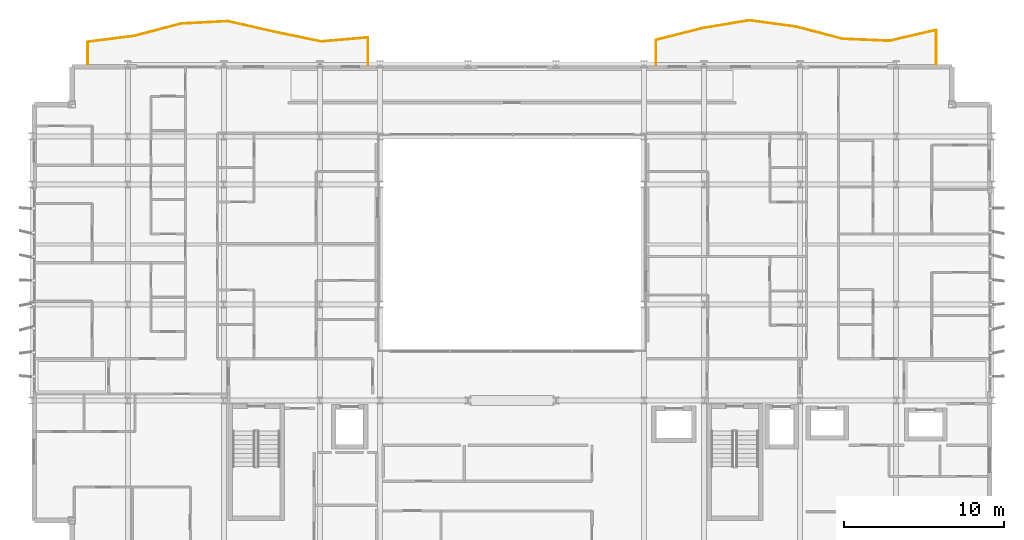
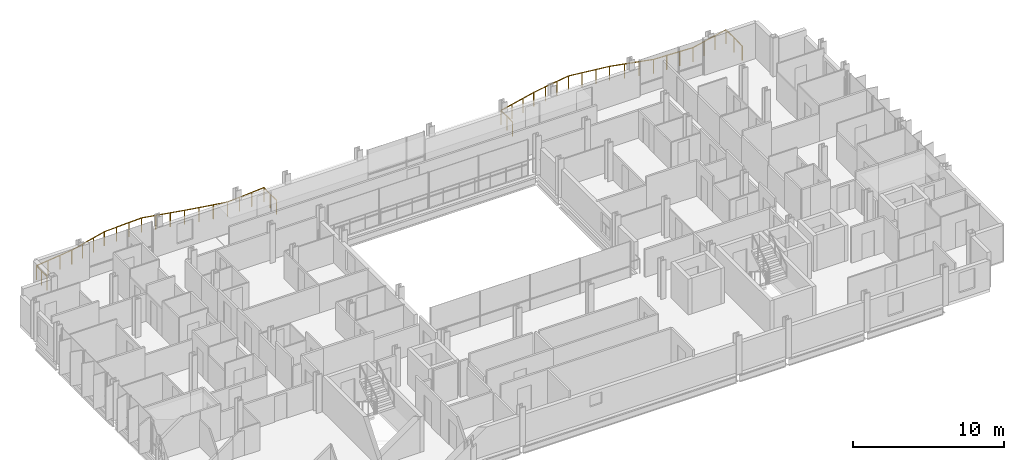
# One storey, part 39 of 39: 2 railings.
"""IFC4 building model written with IfcOpenShell, lengths in metres."""

from ifc_helpers import new_model, si_unit, direction, frame, origin, origin_2d, place, context, subcontext, project, spatial, circle, extrude, material, type_object, element, save


model = new_model("IFC4")

# Units and contexts
model_context = context("Model", 3, precision=1e-05, world=origin(), true_north=direction((0.0, 1.0)))
body_context = subcontext(model_context, "Body", "Model", "MODEL_VIEW")
ifc_project = project(units=[si_unit("LENGTHUNIT", "METRE"), si_unit("AREAUNIT", "SQUARE_METRE"), si_unit("VOLUMEUNIT", "CUBIC_METRE"), si_unit("PLANEANGLEUNIT", "RADIAN"), si_unit("MASSUNIT", "GRAM", prefix="KILO")], contexts=[model_context])

# Site, building, storey
site_placement = place(None, origin())
site = spatial("IfcSite", under=ifc_project, at=site_placement, CompositionType="ELEMENT")
building_placement = place(site_placement, origin())
building = spatial("IfcBuilding", under=site, at=building_placement, Name="Brevholm Reach", CompositionType="ELEMENT")
storey_placement = place(building_placement, frame((0.0, 0.0, 90.0)))
storey = spatial("IfcBuildingStorey", under=building, at=storey_placement, Name="L26", CompositionType="ELEMENT", Elevation=90.0)

# Railings
ifc_material = material(Name="Brushed Stainless Steel EN 1.4401 and Laminated Glass", Category="steel")
railing_type = type_object("IfcRailingType", Name="RAL-BALC-1150", PredefinedType="BALUSTRADE", material=ifc_material)
railing_1_placement = place(storey_placement, frame((56.5, 31.0, 0.0)))
element("IfcRailing", 1, at=railing_1_placement, inside=storey, type_object=railing_type, Name="L26 Guard Balustrade RAL-L26-BAL-NE", PredefinedType="BALUSTRADE", context=body_context, shape_type="SweptSolid", body=[
    extrude(circle(Radius=0.02392578125, at=origin_2d()), frame((0.0, 0.0, 1.1259765625), z_axis=(0.0, 1.0, 0.0), x_axis=(-1.0, 0.0, 0.0)), (0.0, 0.0, 1.0), 2.1455078125),
    extrude(circle(Radius=0.02392578125, at=origin_2d()), frame((0.0, 2.1455078125, 1.1259765625), z_axis=(-0.974086615793, -0.226175296912, 0.0), x_axis=(0.226175296912, -0.974086615793, 0.0)), (0.0, 0.0, 1.0), 2.994384765625),
    extrude(circle(Radius=0.02392578125, at=origin_2d()), frame((-2.916748046875, 1.46826171875, 1.1259765625), z_axis=(-0.999139150441, 0.041484431493, 0.0), x_axis=(-0.041484431493, -0.999139150441, 0.0)), (0.0, 0.0, 1.0), 2.9189453125),
    extrude(circle(Radius=0.02392578125, at=origin_2d()), frame((-5.833251953125, 1.58935546875, 1.1259765625), z_axis=(-0.967668860758, 0.252224058961, 0.0), x_axis=(-0.252224058961, -0.967668860758, 0.0)), (0.0, 0.0, 1.0), 3.01416015625),
    extrude(circle(Radius=0.02392578125, at=origin_2d()), frame((-8.75, 2.349609375, 1.1259765625), z_axis=(-0.990787222307, 0.135427767141, 0.0), x_axis=(-0.135427767141, -0.990787222307, 0.0)), (0.0, 0.0, 1.0), 2.94384765625),
    extrude(circle(Radius=0.02392578125, at=origin_2d()), frame((-11.666748046875, 2.748291015625, 1.1259765625), z_axis=(-0.986326897089, -0.164800643445, 0.0), x_axis=(0.164800643445, -0.986326897089, 0.0)), (0.0, 0.0, 1.0), 2.95703125),
    extrude(circle(Radius=0.02392578125, at=origin_2d()), frame((-14.583251953125, 2.260986328125, 1.1259765625), z_axis=(-0.969908046993, -0.243471518618, 0.0), x_axis=(0.243471518618, -0.969908046993, 0.0)), (0.0, 0.0, 1.0), 3.00732421875),
    extrude(circle(Radius=0.02392578125, at=origin_2d()), frame((-17.5, 1.52880859375, 1.1259765625), z_axis=(0.0, -1.0, 0.0), x_axis=(1.0, 0.0, 0.0)), (0.0, 0.0, 1.0), 1.52880859375),
    extrude(circle(Radius=0.02099609375, at=origin_2d()), origin(), (0.0, 0.0, 1.0), 1.101806640625),
    extrude(circle(Radius=0.02099609375, at=origin_2d()), frame((0.0, 1.07275390625, 0.0)), (0.0, 0.0, 1.0), 1.101806640625),
    extrude(circle(Radius=0.02099609375, at=origin_2d()), frame((0.0, 2.1455078125, 0.0)), (0.0, 0.0, 1.0), 1.101806640625),
    extrude(circle(Radius=0.02099609375, at=origin_2d()), frame((-0.97216796875, 1.919677734375, 0.0)), (0.0, 0.0, 1.0), 1.101806640625),
    extrude(circle(Radius=0.02099609375, at=origin_2d()), frame((-1.944580078125, 1.694091796875, 0.0)), (0.0, 0.0, 1.0), 1.101806640625),
    extrude(circle(Radius=0.02099609375, at=origin_2d()), frame((-2.916748046875, 1.46826171875, 0.0)), (0.0, 0.0, 1.0), 1.101806640625),
    extrude(circle(Radius=0.02099609375, at=origin_2d()), frame((-3.888916015625, 1.508544921875, 0.0)), (0.0, 0.0, 1.0), 1.101806640625),
    extrude(circle(Radius=0.02099609375, at=origin_2d()), frame((-4.861083984375, 1.549072265625, 0.0)), (0.0, 0.0, 1.0), 1.101806640625),
    extrude(circle(Radius=0.02099609375, at=origin_2d()), frame((-5.833251953125, 1.58935546875, 0.0)), (0.0, 0.0, 1.0), 1.101806640625),
    extrude(circle(Radius=0.02099609375, at=origin_2d()), frame((-6.805419921875, 1.8427734375, 0.0)), (0.0, 0.0, 1.0), 1.101806640625),
    extrude(circle(Radius=0.02099609375, at=origin_2d()), frame((-7.77783203125, 2.09619140625, 0.0)), (0.0, 0.0, 1.0), 1.101806640625),
    extrude(circle(Radius=0.02099609375, at=origin_2d()), frame((-8.75, 2.349609375, 0.0)), (0.0, 0.0, 1.0), 1.101806640625),
    extrude(circle(Radius=0.02099609375, at=origin_2d()), frame((-9.72216796875, 2.482421875, 0.0)), (0.0, 0.0, 1.0), 1.101806640625),
    extrude(circle(Radius=0.02099609375, at=origin_2d()), frame((-10.694580078125, 2.615478515625, 0.0)), (0.0, 0.0, 1.0), 1.101806640625),
    extrude(circle(Radius=0.02099609375, at=origin_2d()), frame((-11.666748046875, 2.748291015625, 0.0)), (0.0, 0.0, 1.0), 1.101806640625),
    extrude(circle(Radius=0.02099609375, at=origin_2d()), frame((-12.638916015625, 2.5859375, 0.0)), (0.0, 0.0, 1.0), 1.101806640625),
    extrude(circle(Radius=0.02099609375, at=origin_2d()), frame((-13.611083984375, 2.42333984375, 0.0)), (0.0, 0.0, 1.0), 1.101806640625),
    extrude(circle(Radius=0.02099609375, at=origin_2d()), frame((-14.583251953125, 2.260986328125, 0.0)), (0.0, 0.0, 1.0), 1.101806640625),
    extrude(circle(Radius=0.02099609375, at=origin_2d()), frame((-15.555419921875, 2.016845703125, 0.0)), (0.0, 0.0, 1.0), 1.101806640625),
    extrude(circle(Radius=0.02099609375, at=origin_2d()), frame((-16.52783203125, 1.77294921875, 0.0)), (0.0, 0.0, 1.0), 1.101806640625),
    extrude(circle(Radius=0.02099609375, at=origin_2d()), frame((-17.5, 1.52880859375, 0.0)), (0.0, 0.0, 1.0), 1.101806640625),
    extrude(circle(Radius=0.02099609375, at=origin_2d()), frame((-17.5, 0.764404296875, 0.0)), (0.0, 0.0, 1.0), 1.101806640625),
    extrude(circle(Radius=0.02099609375, at=origin_2d()), frame((-17.5, 0.0, 0.0)), (0.0, 0.0, 1.0), 1.101806640625),
])
railing_2_placement = place(storey_placement, frame((21.0, 31.0, 0.0)))
element("IfcRailing", 2, at=railing_2_placement, inside=storey, type_object=railing_type, Name="L26 Guard Balustrade RAL-L26-BAL-NW", PredefinedType="BALUSTRADE", context=body_context, shape_type="SweptSolid", body=[
    extrude(circle(Radius=0.02392578125, at=origin_2d()), frame((0.0, 0.0, 1.1259765625), z_axis=(0.0, 1.0, 0.0), x_axis=(-1.0, 0.0, 0.0)), (0.0, 0.0, 1.0), 1.67822265625),
    extrude(circle(Radius=0.02392578125, at=origin_2d()), frame((0.0, 1.67822265625, 1.1259765625), z_axis=(-0.996282713287, -0.086143805376, 0.0), x_axis=(0.086143805376, -0.996282713287, 0.0)), (0.0, 0.0, 1.0), 2.927734375),
    extrude(circle(Radius=0.02392578125, at=origin_2d()), frame((-2.916748046875, 1.426025390625, 1.1259765625), z_axis=(-0.979367411888, 0.202087784221, 0.0), x_axis=(-0.202087784221, -0.979367411888, 0.0)), (0.0, 0.0, 1.0), 2.97802734375),
    extrude(circle(Radius=0.02392578125, at=origin_2d()), frame((-5.833251953125, 2.02783203125, 1.1259765625), z_axis=(-0.975066268344, 0.221913884961, 0.0), x_axis=(-0.221913884961, -0.975066268344, 0.0)), (0.0, 0.0, 1.0), 2.991455078125),
    extrude(circle(Radius=0.02392578125, at=origin_2d()), frame((-8.75, 2.691650390625, 1.1259765625), z_axis=(-0.998720239463, -0.050575520622, 0.0), x_axis=(0.050575520622, -0.998720239463, 0.0)), (0.0, 0.0, 1.0), 2.92041015625),
    extrude(circle(Radius=0.02392578125, at=origin_2d()), frame((-11.666748046875, 2.5439453125, 1.1259765625), z_axis=(-0.967287116441, -0.253684123205, 0.0), x_axis=(0.253684123205, -0.967287116441, 0.0)), (0.0, 0.0, 1.0), 3.01513671875),
    extrude(circle(Radius=0.02392578125, at=origin_2d()), frame((-14.583251953125, 1.779052734375, 1.1259765625), z_axis=(-0.991825721968, -0.127599910828, 0.0), x_axis=(0.127599910828, -0.991825721968, 0.0)), (0.0, 0.0, 1.0), 2.940673828125),
    extrude(circle(Radius=0.02392578125, at=origin_2d()), frame((-17.5, 1.40380859375, 1.1259765625), z_axis=(0.0, -1.0, 0.0), x_axis=(1.0, 0.0, 0.0)), (0.0, 0.0, 1.0), 1.40380859375),
    extrude(circle(Radius=0.02099609375, at=origin_2d()), origin(), (0.0, 0.0, 1.0), 1.101806640625),
    extrude(circle(Radius=0.02099609375, at=origin_2d()), frame((0.0, 0.839111328125, 0.0)), (0.0, 0.0, 1.0), 1.101806640625),
    extrude(circle(Radius=0.02099609375, at=origin_2d()), frame((0.0, 1.67822265625, 0.0)), (0.0, 0.0, 1.0), 1.101806640625),
    extrude(circle(Radius=0.02099609375, at=origin_2d()), frame((-0.97216796875, 1.59423828125, 0.0)), (0.0, 0.0, 1.0), 1.101806640625),
    extrude(circle(Radius=0.02099609375, at=origin_2d()), frame((-1.944580078125, 1.510009765625, 0.0)), (0.0, 0.0, 1.0), 1.101806640625),
    extrude(circle(Radius=0.02099609375, at=origin_2d()), frame((-2.916748046875, 1.426025390625, 0.0)), (0.0, 0.0, 1.0), 1.101806640625),
    extrude(circle(Radius=0.02099609375, at=origin_2d()), frame((-3.888916015625, 1.626708984375, 0.0)), (0.0, 0.0, 1.0), 1.101806640625),
    extrude(circle(Radius=0.02099609375, at=origin_2d()), frame((-4.861083984375, 1.8271484375, 0.0)), (0.0, 0.0, 1.0), 1.101806640625),
    extrude(circle(Radius=0.02099609375, at=origin_2d()), frame((-5.833251953125, 2.02783203125, 0.0)), (0.0, 0.0, 1.0), 1.101806640625),
    extrude(circle(Radius=0.02099609375, at=origin_2d()), frame((-6.805419921875, 2.2490234375, 0.0)), (0.0, 0.0, 1.0), 1.101806640625),
    extrude(circle(Radius=0.02099609375, at=origin_2d()), frame((-7.77783203125, 2.470458984375, 0.0)), (0.0, 0.0, 1.0), 1.101806640625),
    extrude(circle(Radius=0.02099609375, at=origin_2d()), frame((-8.75, 2.691650390625, 0.0)), (0.0, 0.0, 1.0), 1.101806640625),
    extrude(circle(Radius=0.02099609375, at=origin_2d()), frame((-9.72216796875, 2.642333984375, 0.0)), (0.0, 0.0, 1.0), 1.101806640625),
    extrude(circle(Radius=0.02099609375, at=origin_2d()), frame((-10.694580078125, 2.59326171875, 0.0)), (0.0, 0.0, 1.0), 1.101806640625),
    extrude(circle(Radius=0.02099609375, at=origin_2d()), frame((-11.666748046875, 2.5439453125, 0.0)), (0.0, 0.0, 1.0), 1.101806640625),
    extrude(circle(Radius=0.02099609375, at=origin_2d()), frame((-12.638916015625, 2.2890625, 0.0)), (0.0, 0.0, 1.0), 1.101806640625),
    extrude(circle(Radius=0.02099609375, at=origin_2d()), frame((-13.611083984375, 2.033935546875, 0.0)), (0.0, 0.0, 1.0), 1.101806640625),
    extrude(circle(Radius=0.02099609375, at=origin_2d()), frame((-14.583251953125, 1.779052734375, 0.0)), (0.0, 0.0, 1.0), 1.101806640625),
    extrude(circle(Radius=0.02099609375, at=origin_2d()), frame((-15.555419921875, 1.654052734375, 0.0)), (0.0, 0.0, 1.0), 1.101806640625),
    extrude(circle(Radius=0.02099609375, at=origin_2d()), frame((-16.52783203125, 1.52880859375, 0.0)), (0.0, 0.0, 1.0), 1.101806640625),
    extrude(circle(Radius=0.02099609375, at=origin_2d()), frame((-17.5, 1.40380859375, 0.0)), (0.0, 0.0, 1.0), 1.101806640625),
    extrude(circle(Radius=0.02099609375, at=origin_2d()), frame((-17.5, 0.701904296875, 0.0)), (0.0, 0.0, 1.0), 1.101806640625),
    extrude(circle(Radius=0.02099609375, at=origin_2d()), frame((-17.5, 0.0, 0.0)), (0.0, 0.0, 1.0), 1.101806640625),
])

save(model, "model.ifc")
